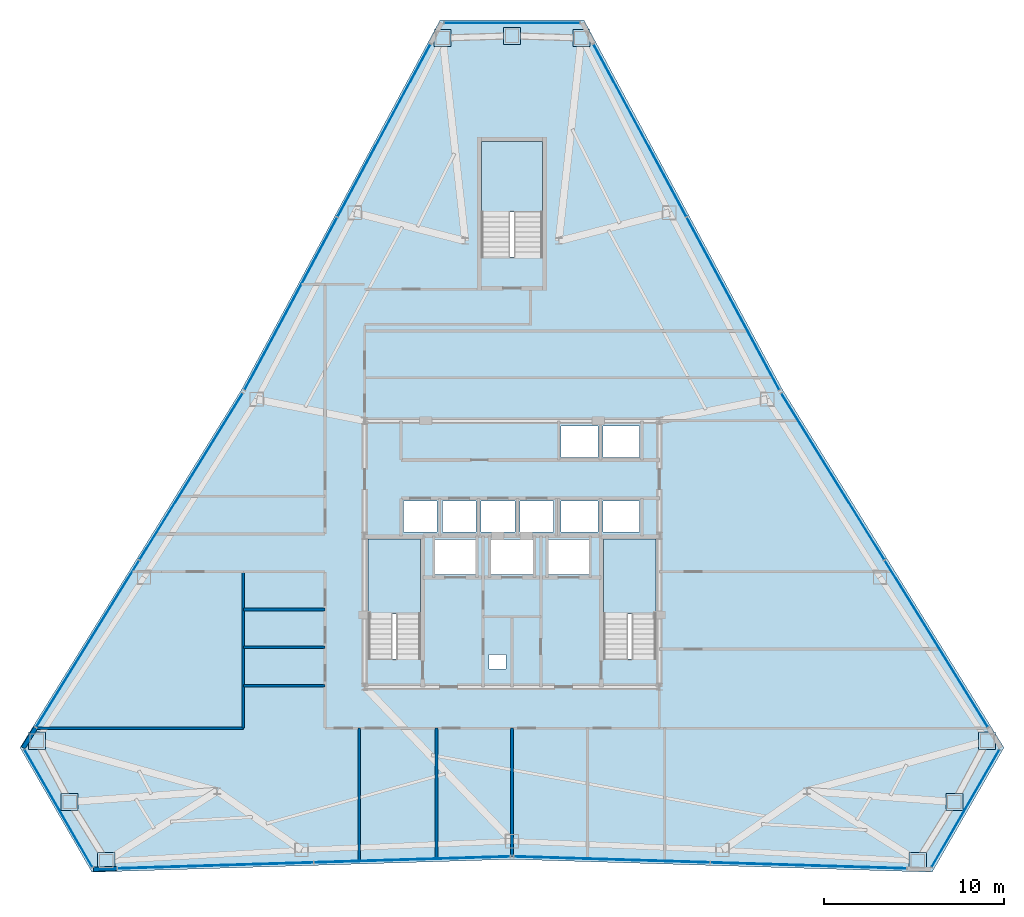
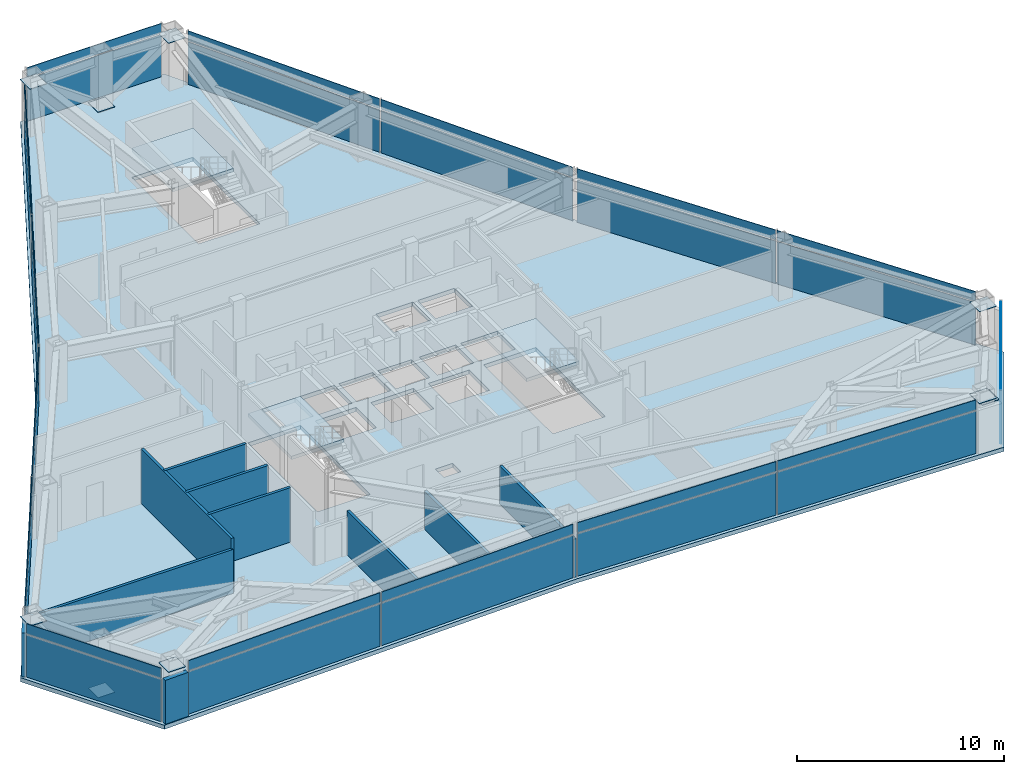
# One storey, part 9 of 13: 39 plates, 10 walls, 4 slabs, 12 elements without a shape of their own.
"""IFC4 building model written with IfcOpenShell, lengths in metres."""

from ifc_helpers import new_model, si_unit, direction, frame, frame_2d, origin, origin_2d, place, context, subcontext, project, spatial, polyline, rectangle, outline, extrude, source, transform, mapped, material, layer, layer_set, type_object, type_shapes, element, aggregate, save


model = new_model("IFC4")

# Units and contexts
model_context = context("Model", 3, precision=1e-05, world=origin(), true_north=direction((0.0, 1.0)))
body_context = subcontext(model_context, "Body", "Model", "MODEL_VIEW")
ifc_project = project(units=[si_unit("LENGTHUNIT", "METRE"), si_unit("AREAUNIT", "SQUARE_METRE"), si_unit("VOLUMEUNIT", "CUBIC_METRE"), si_unit("PLANEANGLEUNIT", "RADIAN"), si_unit("MASSUNIT", "GRAM", prefix="KILO")], contexts=[model_context])

# Site, building, storey
site_placement = place(None, origin())
site = spatial("IfcSite", under=ifc_project, at=site_placement, CompositionType="ELEMENT")
building_placement = place(site_placement, origin())
building = spatial("IfcBuilding", under=site, at=building_placement, Name="Varakhsha Concourse Tower", CompositionType="ELEMENT")
storey_placement = place(building_placement, frame((0.0, 0.0, 165.449951171875)))
storey = spatial("IfcBuildingStorey", under=building, at=storey_placement, Name="L47", CompositionType="ELEMENT", Elevation=165.449951171875)

# Slab
ifc_material_1 = material(Name="Concrete fc 45 MPa", Category="concrete")
ifc_layer_1 = layer(ifc_material_1, 0.239990234375, Name="SL-FLR-240")
ifc_layer_set_1 = layer_set([ifc_layer_1], Name="Concrete fc 45 MPa")
slab_type_1 = type_object("IfcSlabType", Name="SL-FLR-240", PredefinedType="FLOOR", material=ifc_layer_set_1)
slab_1_placement = place(storey_placement, frame((0.0, 0.0, -0.239990234375)))
element("IfcSlab", 1, at=slab_1_placement, inside=storey, type_object=slab_type_1, Name="L47 Composite Structural Slab", PredefinedType="FLOOR", context=body_context, shape_type="SweptSolid", body=[
    extrude(outline(polyline([(44.0, 53.49853515625), (36.0, 53.49853515625), (24.931396484375, 32.89990234375), (12.626708984375, 13.014892578125), (16.626708984375, 6.086669921875), (40.0, 6.80029296875), (63.373291015625, 6.086669921875), (67.373291015625, 13.014892578125), (55.068603515625, 32.89990234375), (44.0, 53.49853515625)]), holes=[polyline([(34.919921875, 17.93994140625), (34.919921875, 24.6298828125), (32.0, 24.6298828125), (32.0, 17.93994140625), (34.919921875, 17.93994140625)]), polyline([(48.02001953125, 17.93994140625), (48.02001953125, 24.6298828125), (45.10009765625, 24.6298828125), (45.10009765625, 17.93994140625), (48.02001953125, 17.93994140625)]), polyline([(41.699951171875, 40.300048828125), (41.699951171875, 46.75), (38.300048828125, 46.75), (38.300048828125, 40.300048828125), (41.699951171875, 40.300048828125)]), polyline([(33.9599609375, 25.0), (35.840087890625, 25.0), (35.840087890625, 26.739990234375), (33.9599609375, 26.739990234375), (33.9599609375, 25.0)]), polyline([(36.1201171875, 25.0), (38.0, 25.0), (38.0, 26.739990234375), (36.1201171875, 26.739990234375), (36.1201171875, 25.0)]), polyline([(38.280029296875, 25.0), (40.159912109375, 25.0), (40.159912109375, 26.739990234375), (38.280029296875, 26.739990234375), (38.280029296875, 25.0)]), polyline([(40.43994140625, 25.0), (42.320068359375, 25.0), (42.320068359375, 26.739990234375), (40.43994140625, 26.739990234375), (40.43994140625, 25.0)]), polyline([(42.739990234375, 29.159912109375), (44.780029296875, 29.159912109375), (44.780029296875, 30.89990234375), (42.739990234375, 30.89990234375), (42.739990234375, 29.159912109375)]), polyline([(45.06005859375, 29.159912109375), (47.10009765625, 29.159912109375), (47.10009765625, 30.89990234375), (45.06005859375, 30.89990234375), (45.06005859375, 29.159912109375)]), polyline([(42.739990234375, 25.0), (44.780029296875, 25.0), (44.780029296875, 26.739990234375), (42.739990234375, 26.739990234375), (42.739990234375, 25.0)]), polyline([(45.06005859375, 25.0), (47.10009765625, 25.0), (47.10009765625, 26.739990234375), (45.06005859375, 26.739990234375), (45.06005859375, 25.0)]), polyline([(35.7099609375, 22.639892578125), (37.989990234375, 22.639892578125), (37.989990234375, 24.60009765625), (35.7099609375, 24.60009765625), (35.7099609375, 22.639892578125)]), polyline([(42.010009765625, 22.639892578125), (44.2900390625, 22.639892578125), (44.2900390625, 24.60009765625), (42.010009765625, 24.60009765625), (42.010009765625, 22.639892578125)]), polyline([(38.81005859375, 22.639892578125), (41.18994140625, 22.639892578125), (41.18994140625, 24.60009765625), (38.81005859375, 24.60009765625), (38.81005859375, 22.639892578125)]), polyline([(38.719970703125, 17.39990234375), (39.679931640625, 17.39990234375), (39.679931640625, 18.199951171875), (38.719970703125, 18.199951171875), (38.719970703125, 17.39990234375)])]), origin(), (0.0, 0.0, 1.0), 0.239990234375),
])

# Stair, slab
stair_type_1 = type_object("IfcStairType", Name="ST-DOGLEG-1360", PredefinedType="HALF_TURN_STAIR", material=ifc_material_1)
stair_1_placement = place(storey_placement, origin())
stair_1 = element("IfcStair", 2, at=stair_1_placement, inside=storey, type_object=stair_type_1, Name="L47 Protected Exit Stair ST1", PredefinedType="HALF_TURN_STAIR")
ifc_layer_2 = layer(ifc_material_1, 0.199951171875, Name="SL-LAND-200")
ifc_layer_set_2 = layer_set([ifc_layer_2], Name="Concrete fc 45 MPa")
slab_type_2 = type_object("IfcSlabType", Name="SL-LAND-200", PredefinedType="LANDING", material=ifc_layer_set_2)
slab_2_placement = place(storey_placement, frame((0.0, 0.0, 1.525146484375)))
slab_2 = element("IfcSlab", 3, at=slab_2_placement, type_object=slab_type_2, Name="ST1 landing 1", PredefinedType="LANDING", context=body_context, shape_type="SweptSolid", body=[
    extrude(outline(polyline([(34.919921875, 20.4599609375), (34.919921875, 24.6298828125), (32.0, 24.6298828125), (32.0, 20.4599609375), (34.919921875, 20.4599609375)])), origin(), (0.0, 0.0, 1.0), 0.199951171875),
])
aggregate(stair_1, [slab_2])

stair_2_placement = place(storey_placement, origin())
stair_2 = element("IfcStair", 4, at=stair_2_placement, inside=storey, type_object=stair_type_1, Name="L47 Protected Exit Stair ST2", PredefinedType="HALF_TURN_STAIR")
slab_3_placement = place(storey_placement, frame((0.0, 0.0, 1.525146484375)))
slab_3 = element("IfcSlab", 5, at=slab_3_placement, type_object=slab_type_2, Name="ST2 landing 1", PredefinedType="LANDING", context=body_context, shape_type="SweptSolid", body=[
    extrude(outline(polyline([(48.02001953125, 20.4599609375), (48.02001953125, 24.6298828125), (45.10009765625, 24.6298828125), (45.10009765625, 20.4599609375), (48.02001953125, 20.4599609375)])), origin(), (0.0, 0.0, 1.0), 0.199951171875),
])
aggregate(stair_2, [slab_3])

stair_type_2 = type_object("IfcStairType", Name="ST-DOGLEG-1600", PredefinedType="HALF_TURN_STAIR", material=ifc_material_1)
stair_3_placement = place(storey_placement, origin())
stair_3 = element("IfcStair", 6, at=stair_3_placement, inside=storey, type_object=stair_type_2, Name="L47 Protected Exit Stair ST5", PredefinedType="HALF_TURN_STAIR")
slab_4_placement = place(storey_placement, frame((0.0, 0.0, 1.525146484375)))
slab_4 = element("IfcSlab", 7, at=slab_4_placement, type_object=slab_type_2, Name="ST5 landing 1", PredefinedType="LANDING", context=body_context, shape_type="SweptSolid", body=[
    extrude(outline(polyline([(41.699951171875, 42.820068359375), (41.699951171875, 46.75), (38.300048828125, 46.75), (38.300048828125, 42.820068359375), (41.699951171875, 42.820068359375)])), origin(), (0.0, 0.0, 1.0), 0.199951171875),
])
aggregate(stair_3, [slab_4])

# Plates
ifc_material_2 = material(Name="Structural Steel ASTM A572 Grade 50", Category="steel")
ifc_layer_3 = layer(ifc_material_2, 0.030029296875, Name="PL-ENDCAP-950")
ifc_layer_set_3 = layer_set([ifc_layer_3], Name="Structural Steel ASTM A572 Grade 50")
plate_type_1 = type_object("IfcPlateType", Name="PL-ENDCAP-950", PredefinedType="USERDEFINED", material=ifc_layer_set_3)
shared_shape_1 = source(origin(), body_context, "Body", "SweptSolid", [
    extrude(rectangle(XDim=0.949951171875, YDim=0.949951171875, at=origin_2d()), origin(), (0.0, 0.0, 1.0), 0.030029296875),
])
type_shapes(plate_type_1, [shared_shape_1])
for number, where, z_axis, x_axis, name in (
    (8, (40.0, 52.618408203125, 0.10498046875), (0.0, 0.0, 1.0), (1.0, 0.0, 0.0), "Hollow Section End Cap GP-NODE-L47-0484"),
    (9, (43.863037109375, 52.495849609375, 2.89501953125), (0.0, 0.0, 1.0), (1.0, 0.0, 0.0), "Hollow Section End Cap GP-NODE-L47-0485"),
    (10, (36.136962890625, 52.495849609375, 2.89501953125), (0.0, 0.0, 1.0), (1.0, 0.0, 0.0), "Hollow Section End Cap GP-NODE-L47-0486"),
    (11, (15.388916015625, 9.99072265625, 0.10498046875), (0.0, 0.0, 1.0), (1.0, 0.0, 0.0), "Hollow Section End Cap GP-NODE-L47-0487"),
    (12, (13.563720703125, 13.397705078125, 2.89501953125), (0.0, 0.0, 1.0), (1.0, 0.0, 0.0), "Hollow Section End Cap GP-NODE-L47-0488"),
    (13, (17.4267578125, 6.70654296875, 2.89501953125), (0.0, 0.0, 1.0), (1.0, 0.0, 0.0), "Hollow Section End Cap GP-NODE-L47-0489"),
    (14, (64.611083984375, 9.99072265625, 0.10498046875), (0.0, 0.0, 1.0), (1.0, 0.0, 0.0), "Hollow Section End Cap GP-NODE-L47-0490"),
    (15, (62.5732421875, 6.70654296875, 2.89501953125), (0.0, 0.0, 1.0), (1.0, 0.0, 0.0), "Hollow Section End Cap GP-NODE-L47-0491"),
    (16, (66.436279296875, 13.397705078125, 2.89501953125), (0.0, 0.0, 1.0), (1.0, 0.0, 0.0), "Hollow Section End Cap GP-NODE-L47-0492"),
):
    element("IfcPlate", number, at=place(storey_placement, frame(where, z_axis=z_axis, x_axis=x_axis)), inside=storey, type_object=plate_type_1, Name=name, ObjectType="END PLATE", PredefinedType="USERDEFINED", context=body_context, shape_type="MappedRepresentation", body=[
        mapped(shared_shape_1, transform((0.0, 0.0, 0.0), scale=1.0)),
    ])

# Curtain wall, plates
ifc_material_3 = material(Name="Anodised Bronze Architectural Aluminium AA 6063-T6", Category="aluminium")
ifc_layer_4 = layer(ifc_material_3, 0.2099609375, Name="CW-SYS-04")
ifc_layer_set_4 = layer_set([ifc_layer_4], Name="Anodised Bronze Architectural Aluminium AA 6063-T6")
curtain_wall_type = type_object("IfcCurtainWallType", Name="CW-SYS-04", PredefinedType="NOTDEFINED", material=ifc_layer_set_4)
curtain_wall_1_placement = place(storey_placement, origin())
curtain_wall_1 = element("IfcCurtainWall", 17, at=curtain_wall_1_placement, inside=storey, type_object=curtain_wall_type, Name="L47 Crystal Curtain Wall F2", PredefinedType="NOTDEFINED")
ifc_material_4 = material(Name="Low-E Triple Insulating Glass IGU 44 mm", Category="glass")
ifc_layer_5 = layer(ifc_material_4, 0.0439453125, Name="CWP-IGU-44")
ifc_layer_set_5 = layer_set([ifc_layer_5], Name="Low-E Triple Insulating Glass IGU 44 mm")
plate_type_2 = type_object("IfcPlateType", Name="CWP-IGU-44", PredefinedType="CURTAIN_PANEL", material=ifc_layer_set_5)
shared_shape_2 = source(origin(), body_context, "Body", "SweptSolid", [
    extrude(rectangle(XDim=10.873046875, YDim=0.0439453125, at=origin_2d()), origin(), (0.0, 0.0, 1.0), 2.49609375),
])
type_shapes(plate_type_2, [shared_shape_2])
plate_1_placement = place(storey_placement, frame((27.69970703125, 37.7138671875, 0.031982421875), z_axis=(0.0, 0.0, 1.0), x_axis=(0.473336578986, 0.880881650958, 0.0)))
plate_1 = element("IfcPlate", 18, at=plate_1_placement, type_object=plate_type_2, Name="CW-L47-F2 Panel 00-00", PredefinedType="CURTAIN_PANEL", context=body_context, shape_type="MappedRepresentation", body=[
    mapped(shared_shape_2, transform((0.0, 0.0, 0.0), scale=1.0)),
])
plate_2_placement = place(storey_placement, frame((32.879150390625, 47.3525390625, 0.031982421875), z_axis=(0.0, 0.0, 1.0), x_axis=(0.473336578986, 0.880881650958, 0.0)))
plate_2 = element("IfcPlate", 19, at=plate_2_placement, type_object=plate_type_2, Name="CW-L47-F2 Panel 01-00", PredefinedType="CURTAIN_PANEL", context=body_context, shape_type="MappedRepresentation", body=[
    mapped(shared_shape_2, transform((0.0, 0.0, 0.0), scale=1.0)),
])

curtain_wall_2_placement = place(storey_placement, origin())
curtain_wall_2 = element("IfcCurtainWall", 20, at=curtain_wall_2_placement, inside=storey, type_object=curtain_wall_type, Name="L47 Crystal Curtain Wall F3", PredefinedType="NOTDEFINED")
plate_3_placement = place(storey_placement, frame((16.388916015625, 18.79052734375, 0.031982421875), z_axis=(0.0, 0.0, 1.0), x_axis=(0.526199082126, 0.850361409032, 0.0)))
plate_3 = element("IfcPlate", 21, at=plate_3_placement, type_object=plate_type_2, Name="CW-L47-F3 Panel 00-00", PredefinedType="CURTAIN_PANEL", context=body_context, shape_type="MappedRepresentation", body=[
    mapped(shared_shape_2, transform((0.0, 0.0, 0.0), scale=1.0)),
])
plate_4_placement = place(storey_placement, frame((22.146484375, 28.09521484375, 0.031982421875), z_axis=(0.0, 0.0, 1.0), x_axis=(0.526199082126, 0.850361409032, 0.0)))
plate_4 = element("IfcPlate", 22, at=plate_4_placement, type_object=plate_type_2, Name="CW-L47-F3 Panel 01-00", PredefinedType="CURTAIN_PANEL", context=body_context, shape_type="MappedRepresentation", body=[
    mapped(shared_shape_2, transform((0.0, 0.0, 0.0), scale=1.0)),
])

curtain_wall_3_placement = place(storey_placement, origin())
curtain_wall_3 = element("IfcCurtainWall", 23, at=curtain_wall_3_placement, inside=storey, type_object=curtain_wall_type, Name="L47 Crystal Curtain Wall F5", PredefinedType="NOTDEFINED")
plate_5_placement = place(storey_placement, frame((34.44677734375, 6.790771484375, 0.031982421875), z_axis=(0.0, 0.0, 1.0), x_axis=(-0.999534017137, -0.030524557085, 0.0)))
plate_5 = element("IfcPlate", 24, at=plate_5_placement, type_object=plate_type_2, Name="CW-L47-F5 Panel 00-00", PredefinedType="CURTAIN_PANEL", context=body_context, shape_type="MappedRepresentation", body=[
    mapped(shared_shape_2, transform((0.0, 0.0, 0.0), scale=1.0)),
])
plate_6_placement = place(storey_placement, frame((23.509765625, 6.456787109375, 0.031982421875), z_axis=(0.0, 0.0, 1.0), x_axis=(-0.999534017137, -0.030524557085, 0.0)))
plate_6 = element("IfcPlate", 25, at=plate_6_placement, type_object=plate_type_2, Name="CW-L47-F5 Panel 01-00", PredefinedType="CURTAIN_PANEL", context=body_context, shape_type="MappedRepresentation", body=[
    mapped(shared_shape_2, transform((0.0, 0.0, 0.0), scale=1.0)),
])

curtain_wall_4_placement = place(storey_placement, origin())
curtain_wall_4 = element("IfcCurtainWall", 26, at=curtain_wall_4_placement, inside=storey, type_object=curtain_wall_type, Name="L47 Crystal Curtain Wall F6", PredefinedType="NOTDEFINED")
plate_7_placement = place(storey_placement, frame((56.490234375, 6.456787109375, 0.031982421875), z_axis=(0.0, 0.0, 1.0), x_axis=(-0.999534017137, 0.030524557085, 0.0)))
plate_7 = element("IfcPlate", 27, at=plate_7_placement, type_object=plate_type_2, Name="CW-L47-F6 Panel 00-00", PredefinedType="CURTAIN_PANEL", context=body_context, shape_type="MappedRepresentation", body=[
    mapped(shared_shape_2, transform((0.0, 0.0, 0.0), scale=1.0)),
])
plate_8_placement = place(storey_placement, frame((45.55322265625, 6.790771484375, 0.031982421875), z_axis=(0.0, 0.0, 1.0), x_axis=(-0.999534017137, 0.030524557085, 0.0)))
plate_8 = element("IfcPlate", 28, at=plate_8_placement, type_object=plate_type_2, Name="CW-L47-F6 Panel 01-00", PredefinedType="CURTAIN_PANEL", context=body_context, shape_type="MappedRepresentation", body=[
    mapped(shared_shape_2, transform((0.0, 0.0, 0.0), scale=1.0)),
])

curtain_wall_5_placement = place(storey_placement, origin())
curtain_wall_5 = element("IfcCurtainWall", 29, at=curtain_wall_5_placement, inside=storey, type_object=curtain_wall_type, Name="L47 Crystal Curtain Wall F8", PredefinedType="NOTDEFINED")
plate_9_placement = place(storey_placement, frame((57.853515625, 28.09521484375, 0.031982421875), z_axis=(0.0, 0.0, 1.0), x_axis=(0.526199082126, -0.850361409032, 0.0)))
plate_9 = element("IfcPlate", 30, at=plate_9_placement, type_object=plate_type_2, Name="CW-L47-F8 Panel 00-00", PredefinedType="CURTAIN_PANEL", context=body_context, shape_type="MappedRepresentation", body=[
    mapped(shared_shape_2, transform((0.0, 0.0, 0.0), scale=1.0)),
])
plate_10_placement = place(storey_placement, frame((63.611083984375, 18.79052734375, 0.031982421875), z_axis=(0.0, 0.0, 1.0), x_axis=(0.526199082126, -0.850361409032, 0.0)))
plate_10 = element("IfcPlate", 31, at=plate_10_placement, type_object=plate_type_2, Name="CW-L47-F8 Panel 01-00", PredefinedType="CURTAIN_PANEL", context=body_context, shape_type="MappedRepresentation", body=[
    mapped(shared_shape_2, transform((0.0, 0.0, 0.0), scale=1.0)),
])

curtain_wall_6_placement = place(storey_placement, origin())
curtain_wall_6 = element("IfcCurtainWall", 32, at=curtain_wall_6_placement, inside=storey, type_object=curtain_wall_type, Name="L47 Crystal Curtain Wall F9", PredefinedType="NOTDEFINED")
plate_11_placement = place(storey_placement, frame((47.120849609375, 47.3525390625, 0.031982421875), z_axis=(0.0, 0.0, 1.0), x_axis=(0.473336578986, -0.880881650958, 0.0)))
plate_11 = element("IfcPlate", 33, at=plate_11_placement, type_object=plate_type_2, Name="CW-L47-F9 Panel 00-00", PredefinedType="CURTAIN_PANEL", context=body_context, shape_type="MappedRepresentation", body=[
    mapped(shared_shape_2, transform((0.0, 0.0, 0.0), scale=1.0)),
])
plate_12_placement = place(storey_placement, frame((52.300048828125, 37.7138671875, 0.031982421875), z_axis=(0.0, 0.0, 1.0), x_axis=(0.473336578986, -0.880881650958, 0.0)))
plate_12 = element("IfcPlate", 34, at=plate_12_placement, type_object=plate_type_2, Name="CW-L47-F9 Panel 01-00", PredefinedType="CURTAIN_PANEL", context=body_context, shape_type="MappedRepresentation", body=[
    mapped(shared_shape_2, transform((0.0, 0.0, 0.0), scale=1.0)),
])

# Plate
ifc_material_5 = material(Name="Insulated Anodised Bronze Aluminium Spandrel 36 mm", Category="aluminium")
ifc_layer_6 = layer(ifc_material_5, 0.035888671875, Name="CWP-SPN-36")
ifc_layer_set_6 = layer_set([ifc_layer_6], Name="Insulated Anodised Bronze Aluminium Spandrel 36 mm")
plate_type_3 = type_object("IfcPlateType", Name="CWP-SPN-36", PredefinedType="USERDEFINED", material=ifc_layer_set_6)
shared_shape_3 = source(origin(), body_context, "Body", "SweptSolid", [
    extrude(rectangle(XDim=10.873046875, YDim=0.035888671875, at=origin_2d()), origin(), (0.0, 0.0, 1.0), 0.5859375),
])
plate_13_placement = place(storey_placement, frame((27.69970703125, 37.7138671875, 2.592041015625), z_axis=(0.0, 0.0, 1.0), x_axis=(0.473336578986, 0.880881650958, 0.0)))
plate_13 = element("IfcPlate", 35, at=plate_13_placement, type_object=plate_type_3, Name="CW-L47-F2 Panel 00-01", ObjectType="SPANDREL", PredefinedType="USERDEFINED", context=body_context, shape_type="MappedRepresentation", body=[
    mapped(shared_shape_3, transform((0.0, 0.0, 0.0), scale=1.0)),
])

plate_14_placement = place(storey_placement, frame((32.879150390625, 47.3525390625, 2.592041015625), z_axis=(0.0, 0.0, 1.0), x_axis=(0.473336578986, 0.880881650958, 0.0)))
plate_14 = element("IfcPlate", 36, at=plate_14_placement, type_object=plate_type_3, Name="CW-L47-F2 Panel 01-01", ObjectType="SPANDREL", PredefinedType="USERDEFINED", context=body_context, shape_type="MappedRepresentation", body=[
    mapped(shared_shape_3, transform((0.0, 0.0, 0.0), scale=1.0)),
])

aggregate(curtain_wall_1, [plate_1, plate_13, plate_2, plate_14])

plate_15_placement = place(storey_placement, frame((16.388916015625, 18.79052734375, 2.592041015625), z_axis=(0.0, 0.0, 1.0), x_axis=(0.526199082126, 0.850361409032, 0.0)))
plate_15 = element("IfcPlate", 37, at=plate_15_placement, type_object=plate_type_3, Name="CW-L47-F3 Panel 00-01", ObjectType="SPANDREL", PredefinedType="USERDEFINED", context=body_context, shape_type="MappedRepresentation", body=[
    mapped(shared_shape_3, transform((0.0, 0.0, 0.0), scale=1.0)),
])

plate_16_placement = place(storey_placement, frame((22.146484375, 28.09521484375, 2.592041015625), z_axis=(0.0, 0.0, 1.0), x_axis=(0.526199082126, 0.850361409032, 0.0)))
plate_16 = element("IfcPlate", 38, at=plate_16_placement, type_object=plate_type_3, Name="CW-L47-F3 Panel 01-01", ObjectType="SPANDREL", PredefinedType="USERDEFINED", context=body_context, shape_type="MappedRepresentation", body=[
    mapped(shared_shape_3, transform((0.0, 0.0, 0.0), scale=1.0)),
])

aggregate(curtain_wall_2, [plate_3, plate_15, plate_4, plate_16])

plate_17_placement = place(storey_placement, frame((34.44677734375, 6.790771484375, 2.592041015625), z_axis=(0.0, 0.0, 1.0), x_axis=(-0.999534017137, -0.030524557085, 0.0)))
plate_17 = element("IfcPlate", 39, at=plate_17_placement, type_object=plate_type_3, Name="CW-L47-F5 Panel 00-01", ObjectType="SPANDREL", PredefinedType="USERDEFINED", context=body_context, shape_type="MappedRepresentation", body=[
    mapped(shared_shape_3, transform((0.0, 0.0, 0.0), scale=1.0)),
])

plate_18_placement = place(storey_placement, frame((23.509765625, 6.456787109375, 2.592041015625), z_axis=(0.0, 0.0, 1.0), x_axis=(-0.999534017137, -0.030524557085, 0.0)))
plate_18 = element("IfcPlate", 40, at=plate_18_placement, type_object=plate_type_3, Name="CW-L47-F5 Panel 01-01", ObjectType="SPANDREL", PredefinedType="USERDEFINED", context=body_context, shape_type="MappedRepresentation", body=[
    mapped(shared_shape_3, transform((0.0, 0.0, 0.0), scale=1.0)),
])

aggregate(curtain_wall_3, [plate_5, plate_17, plate_6, plate_18])

plate_19_placement = place(storey_placement, frame((56.490234375, 6.456787109375, 2.592041015625), z_axis=(0.0, 0.0, 1.0), x_axis=(-0.999534017137, 0.030524557085, 0.0)))
plate_19 = element("IfcPlate", 41, at=plate_19_placement, type_object=plate_type_3, Name="CW-L47-F6 Panel 00-01", ObjectType="SPANDREL", PredefinedType="USERDEFINED", context=body_context, shape_type="MappedRepresentation", body=[
    mapped(shared_shape_3, transform((0.0, 0.0, 0.0), scale=1.0)),
])

plate_20_placement = place(storey_placement, frame((45.55322265625, 6.790771484375, 2.592041015625), z_axis=(0.0, 0.0, 1.0), x_axis=(-0.999534017137, 0.030524557085, 0.0)))
plate_20 = element("IfcPlate", 42, at=plate_20_placement, type_object=plate_type_3, Name="CW-L47-F6 Panel 01-01", ObjectType="SPANDREL", PredefinedType="USERDEFINED", context=body_context, shape_type="MappedRepresentation", body=[
    mapped(shared_shape_3, transform((0.0, 0.0, 0.0), scale=1.0)),
])

aggregate(curtain_wall_4, [plate_7, plate_19, plate_8, plate_20])

plate_21_placement = place(storey_placement, frame((57.853515625, 28.09521484375, 2.592041015625), z_axis=(0.0, 0.0, 1.0), x_axis=(0.526199082126, -0.850361409032, 0.0)))
plate_21 = element("IfcPlate", 43, at=plate_21_placement, type_object=plate_type_3, Name="CW-L47-F8 Panel 00-01", ObjectType="SPANDREL", PredefinedType="USERDEFINED", context=body_context, shape_type="MappedRepresentation", body=[
    mapped(shared_shape_3, transform((0.0, 0.0, 0.0), scale=1.0)),
])

plate_22_placement = place(storey_placement, frame((63.611083984375, 18.79052734375, 2.592041015625), z_axis=(0.0, 0.0, 1.0), x_axis=(0.526199082126, -0.850361409032, 0.0)))
plate_22 = element("IfcPlate", 44, at=plate_22_placement, type_object=plate_type_3, Name="CW-L47-F8 Panel 01-01", ObjectType="SPANDREL", PredefinedType="USERDEFINED", context=body_context, shape_type="MappedRepresentation", body=[
    mapped(shared_shape_3, transform((0.0, 0.0, 0.0), scale=1.0)),
])

aggregate(curtain_wall_5, [plate_9, plate_21, plate_10, plate_22])

plate_23_placement = place(storey_placement, frame((47.120849609375, 47.3525390625, 2.592041015625), z_axis=(0.0, 0.0, 1.0), x_axis=(0.473336578986, -0.880881650958, 0.0)))
plate_23 = element("IfcPlate", 45, at=plate_23_placement, type_object=plate_type_3, Name="CW-L47-F9 Panel 00-01", ObjectType="SPANDREL", PredefinedType="USERDEFINED", context=body_context, shape_type="MappedRepresentation", body=[
    mapped(shared_shape_3, transform((0.0, 0.0, 0.0), scale=1.0)),
])

plate_24_placement = place(storey_placement, frame((52.300048828125, 37.7138671875, 2.592041015625), z_axis=(0.0, 0.0, 1.0), x_axis=(0.473336578986, -0.880881650958, 0.0)))
plate_24 = element("IfcPlate", 46, at=plate_24_placement, type_object=plate_type_3, Name="CW-L47-F9 Panel 01-01", ObjectType="SPANDREL", PredefinedType="USERDEFINED", context=body_context, shape_type="MappedRepresentation", body=[
    mapped(shared_shape_3, transform((0.0, 0.0, 0.0), scale=1.0)),
])

aggregate(curtain_wall_6, [plate_11, plate_23, plate_12, plate_24])

# Curtain wall, plates
curtain_wall_7_placement = place(storey_placement, origin())
curtain_wall_7 = element("IfcCurtainWall", 47, at=curtain_wall_7_placement, inside=storey, type_object=curtain_wall_type, Name="L47 Chamfer Curtain Wall F1", PredefinedType="NOTDEFINED")
shared_shape_4 = source(origin(), body_context, "Body", "SweptSolid", [
    extrude(rectangle(XDim=7.490966796875, YDim=0.035888671875, at=origin_2d()), origin(), (0.0, 0.0, 1.0), 2.49609375),
])
plate_25_placement = place(storey_placement, frame((40.0, 53.33837890625, 0.031982421875), z_axis=(0.0, 0.0, 1.0), x_axis=(1.0, 0.0, 0.0)))
plate_25 = element("IfcPlate", 48, at=plate_25_placement, type_object=plate_type_3, Name="CW-L47-F1 Panel 00-00", ObjectType="SPANDREL", PredefinedType="USERDEFINED", context=body_context, shape_type="MappedRepresentation", body=[
    mapped(shared_shape_4, transform((0.0, 0.0, 0.0), scale=1.0)),
])
shared_shape_5 = source(origin(), body_context, "Body", "SweptSolid", [
    extrude(rectangle(XDim=7.490966796875, YDim=0.035888671875, at=origin_2d()), origin(), (0.0, 0.0, 1.0), 0.5859375),
])
plate_26_placement = place(storey_placement, frame((40.0, 53.33837890625, 2.592041015625), z_axis=(0.0, 0.0, 1.0), x_axis=(1.0, 0.0, 0.0)))
plate_26 = element("IfcPlate", 49, at=plate_26_placement, type_object=plate_type_3, Name="CW-L47-F1 Panel 00-01", ObjectType="SPANDREL", PredefinedType="USERDEFINED", context=body_context, shape_type="MappedRepresentation", body=[
    mapped(shared_shape_5, transform((0.0, 0.0, 0.0), scale=1.0)),
])
aggregate(curtain_wall_7, [plate_25, plate_26])

# Curtain wall, plate
curtain_wall_8_placement = place(storey_placement, origin())
curtain_wall_8 = element("IfcCurtainWall", 50, at=curtain_wall_8_placement, inside=storey, type_object=curtain_wall_type, Name="L47 Chamfer Curtain Wall F4", PredefinedType="NOTDEFINED")
shared_shape_6 = source(origin(), body_context, "Body", "SweptSolid", [
    extrude(rectangle(XDim=7.4912109375, YDim=0.035888671875, at=origin_2d()), origin(), (0.0, 0.0, 1.0), 2.49609375),
])
plate_27_placement = place(storey_placement, frame((14.765380859375, 9.630859375, 0.031982421875), z_axis=(0.0, 0.0, 1.0), x_axis=(-0.499990930976, 0.866030639725, 0.0)))
plate_27 = element("IfcPlate", 51, at=plate_27_placement, type_object=plate_type_3, Name="CW-L47-F4 Panel 00-00", ObjectType="SPANDREL", PredefinedType="USERDEFINED", context=body_context, shape_type="MappedRepresentation", body=[
    mapped(shared_shape_6, transform((0.0, 0.0, 0.0), scale=1.0)),
])

curtain_wall_9_placement = place(storey_placement, origin())
curtain_wall_9 = element("IfcCurtainWall", 52, at=curtain_wall_9_placement, inside=storey, type_object=curtain_wall_type, Name="L47 Chamfer Curtain Wall F7", PredefinedType="NOTDEFINED")
plate_28_placement = place(storey_placement, frame((65.234619140625, 9.630859375, 0.031982421875), z_axis=(0.0, 0.0, 1.0), x_axis=(-0.499990930976, -0.866030639725, 0.0)))
plate_28 = element("IfcPlate", 53, at=plate_28_placement, type_object=plate_type_3, Name="CW-L47-F7 Panel 00-00", ObjectType="SPANDREL", PredefinedType="USERDEFINED", context=body_context, shape_type="MappedRepresentation", body=[
    mapped(shared_shape_6, transform((0.0, 0.0, 0.0), scale=1.0)),
])

# Plate
shared_shape_7 = source(origin(), body_context, "Body", "SweptSolid", [
    extrude(rectangle(XDim=7.4912109375, YDim=0.035888671875, at=origin_2d()), origin(), (0.0, 0.0, 1.0), 0.5859375),
])
type_shapes(plate_type_3, [shared_shape_3, shared_shape_4, shared_shape_5, shared_shape_6, shared_shape_7])
plate_29_placement = place(storey_placement, frame((14.765380859375, 9.630859375, 2.592041015625), z_axis=(0.0, 0.0, 1.0), x_axis=(-0.499990930976, 0.866030639725, 0.0)))
plate_29 = element("IfcPlate", 54, at=plate_29_placement, type_object=plate_type_3, Name="CW-L47-F4 Panel 00-01", ObjectType="SPANDREL", PredefinedType="USERDEFINED", context=body_context, shape_type="MappedRepresentation", body=[
    mapped(shared_shape_7, transform((0.0, 0.0, 0.0), scale=1.0)),
])

aggregate(curtain_wall_8, [plate_27, plate_29])

plate_30_placement = place(storey_placement, frame((65.234619140625, 9.630859375, 2.592041015625), z_axis=(0.0, 0.0, 1.0), x_axis=(-0.499990930976, -0.866030639725, 0.0)))
plate_30 = element("IfcPlate", 55, at=plate_30_placement, type_object=plate_type_3, Name="CW-L47-F7 Panel 00-01", ObjectType="SPANDREL", PredefinedType="USERDEFINED", context=body_context, shape_type="MappedRepresentation", body=[
    mapped(shared_shape_7, transform((0.0, 0.0, 0.0), scale=1.0)),
])

aggregate(curtain_wall_9, [plate_28, plate_30])

# Walls
ifc_layer_7 = layer(ifc_material_1, 0.239990234375, Name="WL-EXT-CRN-240")
ifc_layer_set_7 = layer_set([ifc_layer_7], Name="Concrete fc 45 MPa")
wall_type_1 = type_object("IfcWallType", Name="WL-EXT-CRN-240", PredefinedType="SHEAR", material=ifc_layer_set_7)
wall_1_placement = place(storey_placement, frame((13.492919921875, 14.110595703125, 0.0), z_axis=(0.0, 0.0, 1.0), x_axis=(-0.526225760999, -0.850344899709, 0.0)))
element("IfcWall", 56, at=wall_1_placement, inside=storey, type_object=wall_type_1, Name="L47 Wind-Corner Shoulder Wall F3", PredefinedType="SHEAR", context=body_context, shape_type="SweptSolid", body=[
    extrude(rectangle(XDim=1.3046875, YDim=0.239990234375, at=frame_2d((0.65234375, 0.0))), origin(), (0.0, 0.0, 1.0), 2.5830078125),
])
wall_2_placement = place(storey_placement, frame((16.704833984375, 6.2490234375, 0.0), z_axis=(0.0, 0.0, 1.0), x_axis=(0.999534631681, 0.030504427067, 0.0)))
element("IfcWall", 57, at=wall_2_placement, inside=storey, type_object=wall_type_1, Name="L47 Wind-Corner Shoulder Wall F5", PredefinedType="SHEAR", context=body_context, shape_type="SweptSolid", body=[
    extrude(rectangle(XDim=1.304443359375, YDim=0.239990234375, at=frame_2d((0.65234375, 0.0))), origin(), (0.0, 0.0, 1.0), 2.5830078125),
])
ifc_material_6 = material(Name="Fire-Rated Type X Gypsum Partition Assembly", Category="gypsum")
ifc_layer_8 = layer(ifc_material_6, 0.14990234375, Name="WL-PART-150")
ifc_layer_set_8 = layer_set([ifc_layer_8], Name="Fire-Rated Type X Gypsum Partition Assembly")
wall_type_2 = type_object("IfcWallType", Name="WL-PART-150", PredefinedType="PARTITIONING", material=ifc_layer_set_8)
wall_3_placement = place(storey_placement, frame((25.050048828125, 14.10009765625, 0.0), z_axis=(0.0, 0.0, 1.0), x_axis=(0.0, 1.0, 0.0)))
element("IfcWall", 58, at=wall_3_placement, inside=storey, type_object=wall_type_2, Name="L47 Wall C2WC-W-L47", PredefinedType="PARTITIONING", context=body_context, shape_type="SweptSolid", body=[
    extrude(rectangle(XDim=8.699951171875, YDim=0.14990234375, at=frame_2d((4.35009765625, 0.0))), origin(), (0.0, 0.0, 1.0), 3.2099609375),
])
for number, where, z_axis, x_axis, name in (
    (59, (25.050048828125, 16.449951171875, 0.0), (0.0, 0.0, 1.0), (1.0, 0.0, 0.0), "L47 Wall C2WC-S-L47"),
    (60, (25.050048828125, 18.60009765625, 0.0), (0.0, 0.0, 1.0), (1.0, 0.0, 0.0), "L47 Wall C2WC-D1-L47"),
    (61, (25.050048828125, 20.699951171875, 0.0), (0.0, 0.0, 1.0), (1.0, 0.0, 0.0), "L47 Wall C2WC-D2-L47"),
):
    element("IfcWall", number, at=place(storey_placement, frame(where, z_axis=z_axis, x_axis=x_axis)), inside=storey, type_object=wall_type_2, Name=name, PredefinedType="PARTITIONING", context=body_context, shape_type="SweptSolid", body=[
        extrude(rectangle(XDim=4.550048828125, YDim=0.14990234375, at=frame_2d((2.27490234375, 0.0))), origin(), (0.0, 0.0, 1.0), 3.2099609375),
    ])
wall_4_placement = place(storey_placement, frame((31.5, 6.705810546875, 0.0), z_axis=(0.0, 0.0, 1.0), x_axis=(0.0, 1.0, 0.0)))
element("IfcWall", 62, at=wall_4_placement, inside=storey, type_object=wall_type_2, Name="L47 Wall ODIV-S1-L47", PredefinedType="PARTITIONING", context=body_context, shape_type="SweptSolid", body=[
    extrude(rectangle(XDim=7.394287109375, YDim=0.14990234375, at=frame_2d((3.697265625, 0.0))), origin(), (0.0, 0.0, 1.0), 2.589111328125),
])
wall_5_placement = place(storey_placement, frame((35.800048828125, 6.837158203125, 0.0), z_axis=(0.0, 0.0, 1.0), x_axis=(0.0, 1.0, 0.0)))
element("IfcWall", 63, at=wall_5_placement, inside=storey, type_object=wall_type_2, Name="L47 Wall ODIV-S2-L47", PredefinedType="PARTITIONING", context=body_context, shape_type="SweptSolid", body=[
    extrude(rectangle(XDim=7.262939453125, YDim=0.14990234375, at=frame_2d((3.63134765625, 0.0))), origin(), (0.0, 0.0, 1.0), 2.251953125),
])
wall_6_placement = place(storey_placement, frame((40.0, 6.965087890625, 0.0), z_axis=(0.0, 0.0, 1.0), x_axis=(0.0, 1.0, 0.0)))
element("IfcWall", 64, at=wall_6_placement, inside=storey, type_object=wall_type_2, Name="L47 Wall ODIV-S3-L47", PredefinedType="PARTITIONING", context=body_context, shape_type="SweptSolid", body=[
    extrude(rectangle(XDim=7.135009765625, YDim=0.14990234375, at=frame_2d((3.5673828125, 0.0))), origin(), (0.0, 0.0, 1.0), 2.251953125),
])
wall_7_placement = place(storey_placement, frame((13.4921875, 14.10009765625, 0.0), z_axis=(0.0, 0.0, 1.0), x_axis=(1.0, 0.0, 0.0)))
element("IfcWall", 65, at=wall_7_placement, inside=storey, type_object=wall_type_2, Name="L47 Wall ODIV-SWB-L47", PredefinedType="PARTITIONING", context=body_context, shape_type="SweptSolid", body=[
    extrude(rectangle(XDim=11.557861328125, YDim=0.14990234375, at=frame_2d((5.77880859375, 0.0))), origin(), (0.0, 0.0, 1.0), 2.589111328125),
])

save(model, "model.ifc")
